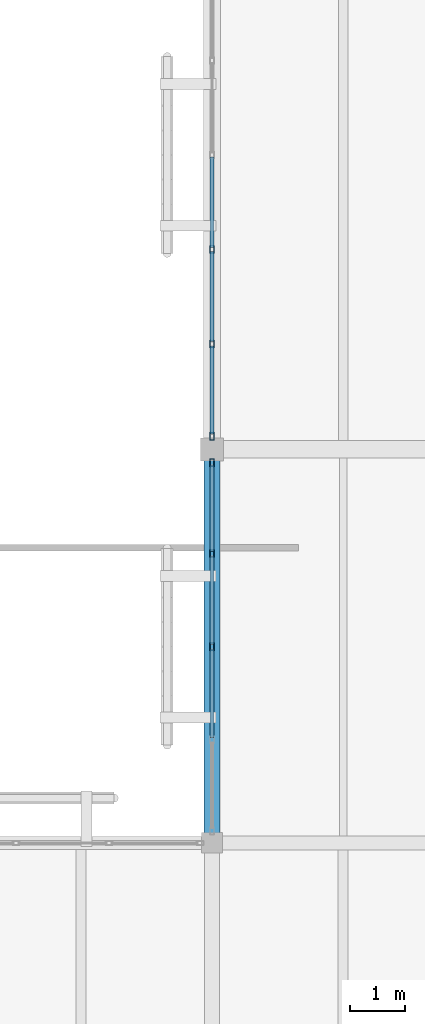
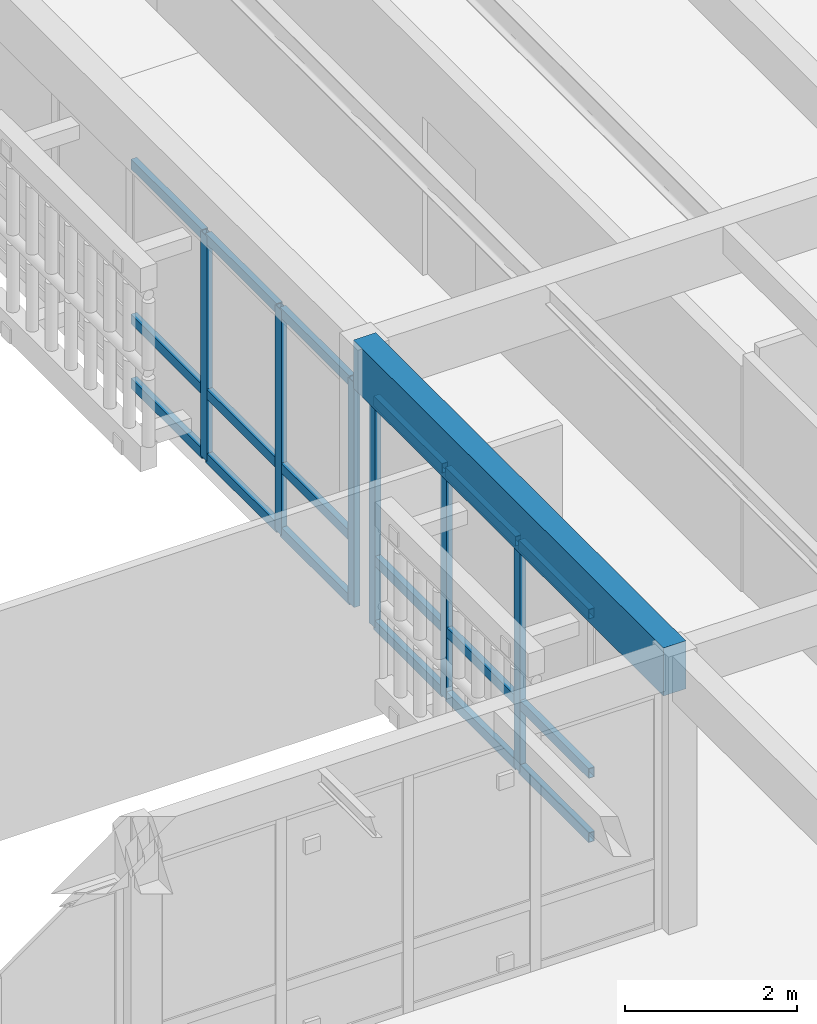
# One storey, part 20 of 61: 24 members, 1 beam, 2 elements without a shape of their own.
"""IFC4 building model written with IfcOpenShell, lengths in metres."""

from ifc_helpers import new_model, si_unit, direction, frame, origin, origin_2d, place, context, subcontext, project, spatial, rectangle, hollow_rectangle, extrude, material, layer, layer_set, material_profile, profile_set, type_object, element, aggregate, save


model = new_model("IFC4")

# Units and contexts
model_context = context("Model", 3, precision=1e-05, world=origin(), true_north=direction((0.0, 1.0)))
body_context = subcontext(model_context, "Body", "Model", "MODEL_VIEW")
ifc_project = project(units=[si_unit("LENGTHUNIT", "METRE"), si_unit("AREAUNIT", "SQUARE_METRE"), si_unit("VOLUMEUNIT", "CUBIC_METRE"), si_unit("PLANEANGLEUNIT", "RADIAN"), si_unit("MASSUNIT", "GRAM", prefix="KILO")], contexts=[model_context])

# Site, building, storey
site_placement = place(None, origin())
site = spatial("IfcSite", under=ifc_project, at=site_placement, CompositionType="ELEMENT")
building_placement = place(site_placement, origin())
building = spatial("IfcBuilding", under=site, at=building_placement, Name="Mazaris Harbour Polytechnic", CompositionType="ELEMENT")
storey_placement = place(building_placement, frame((0.0, 0.0, 18.0)))
storey = spatial("IfcBuildingStorey", under=building, at=storey_placement, Name="L04", CompositionType="ELEMENT", Elevation=18.0)

# Curtain wall, members
ifc_material_1 = material(Name="Anodised Bronze Aluminium and Low-E Glass", Category="aluminium")
ifc_layer = layer(ifc_material_1, 0.159912109375, Name="Anodised Bronze Aluminium and Low-E Glass")
ifc_layer_set = layer_set([ifc_layer], Name="Anodised Bronze Aluminium and Low-E Glass")
curtain_wall_type = type_object("IfcCurtainWallType", Name="Cloister Court Curtain Wall", PredefinedType="NOTDEFINED", material=ifc_layer_set)
curtain_wall_1_placement = place(storey_placement, origin())
curtain_wall_1 = element("IfcCurtainWall", 1, at=curtain_wall_1_placement, inside=storey, type_object=curtain_wall_type, Name="V4 L04 Curtain Wall 175", PredefinedType="NOTDEFINED")
ifc_material_2 = material(Name="Anodised Bronze Steel S355", Category="steel")
ifc_material_profile_1 = material_profile(ifc_material_2, hollow_rectangle(XDim=0.080078125, YDim=0.139892578125, WallThickness=0.00634765625, at=origin_2d()), Name="RHS 80x140x6.3")
ifc_profile_set_1 = profile_set([ifc_material_profile_1], Name="Anodised Bronze Steel S355")
member_type_1 = type_object("IfcMemberType", Name="Curtain Mullion RHS80x140", PredefinedType="MULLION", material=ifc_profile_set_1)
member_1_placement = place(storey_placement, frame((28.800048828125, 42.9580078125, 0.0), z_axis=(0.0, 0.0, 1.0), x_axis=(1.0, 0.0, 0.0)))
member_1 = element("IfcMember", 2, at=member_1_placement, type_object=member_type_1, Name="CW-02 mullion 1", PredefinedType="MULLION", context=body_context, shape_type="SweptSolid", body=[
    extrude(hollow_rectangle(XDim=0.080078125, YDim=0.139892578125, WallThickness=0.00634765625, at=origin_2d()), origin(), (0.0, 0.0, 1.0), 3.2451171875),
])
member_2_placement = place(storey_placement, frame((28.800048828125, 41.2939453125, 0.0), z_axis=(0.0, 0.0, 1.0), x_axis=(1.0, 0.0, 0.0)))
member_2 = element("IfcMember", 3, at=member_2_placement, type_object=member_type_1, Name="CW-02 mullion 2", PredefinedType="MULLION", context=body_context, shape_type="SweptSolid", body=[
    extrude(hollow_rectangle(XDim=0.080078125, YDim=0.139892578125, WallThickness=0.00634765625, at=origin_2d()), origin(), (0.0, 0.0, 1.0), 3.2451171875),
])
member_3_placement = place(storey_placement, frame((28.800048828125, 39.590087890625, 0.0), z_axis=(0.0, 0.0, 1.0), x_axis=(1.0, 0.0, 0.0)))
member_3 = element("IfcMember", 4, at=member_3_placement, type_object=member_type_1, Name="CW-02 mullion 3", PredefinedType="MULLION", context=body_context, shape_type="SweptSolid", body=[
    extrude(hollow_rectangle(XDim=0.080078125, YDim=0.139892578125, WallThickness=0.00634765625, at=origin_2d()), origin(), (0.0, 0.0, 1.0), 3.2451171875),
])

curtain_wall_2_placement = place(storey_placement, origin())
curtain_wall_2 = element("IfcCurtainWall", 5, at=curtain_wall_2_placement, inside=storey, type_object=curtain_wall_type, Name="V4 L04 Curtain Wall 176", PredefinedType="NOTDEFINED")
member_4_placement = place(storey_placement, frame((28.800048828125, 46.860595703125, 0.0), z_axis=(0.0, 0.0, 1.0), x_axis=(1.0, 0.0, 0.0)))
member_4 = element("IfcMember", 6, at=member_4_placement, type_object=member_type_1, Name="CW-02 mullion 5", PredefinedType="MULLION", context=body_context, shape_type="SweptSolid", body=[
    extrude(hollow_rectangle(XDim=0.080078125, YDim=0.139892578125, WallThickness=0.00634765625, at=origin_2d()), origin(), (0.0, 0.0, 1.0), 3.18505859375),
])
member_5_placement = place(storey_placement, frame((28.800048828125, 45.13134765625, 0.0), z_axis=(0.0, 0.0, 1.0), x_axis=(1.0, 0.0, 0.0)))
member_5 = element("IfcMember", 7, at=member_5_placement, type_object=member_type_1, Name="CW-02 mullion 6", PredefinedType="MULLION", context=body_context, shape_type="SweptSolid", body=[
    extrude(hollow_rectangle(XDim=0.080078125, YDim=0.139892578125, WallThickness=0.00634765625, at=origin_2d()), origin(), (0.0, 0.0, 1.0), 3.18505859375),
])
member_6_placement = place(storey_placement, frame((28.800048828125, 43.44189453125, 0.0), z_axis=(0.0, 0.0, 1.0), x_axis=(1.0, 0.0, 0.0)))
member_6 = element("IfcMember", 8, at=member_6_placement, type_object=member_type_1, Name="CW-02 mullion 7", PredefinedType="MULLION", context=body_context, shape_type="SweptSolid", body=[
    extrude(hollow_rectangle(XDim=0.080078125, YDim=0.139892578125, WallThickness=0.00634765625, at=origin_2d()), origin(), (0.0, 0.0, 1.0), 3.18505859375),
])

# Member
ifc_material_3 = material(Name="Anodised Bronze Steel S355", Category="steel")
ifc_material_profile_2 = material_profile(ifc_material_3, hollow_rectangle(XDim=0.080078125, YDim=0.139892578125, WallThickness=0.00634765625, at=origin_2d()), Name="RHS 80x140x6.3")
ifc_profile_set_2 = profile_set([ifc_material_profile_2], Name="Anodised Bronze Steel S355")
member_type_2 = type_object("IfcMemberType", Name="Curtain Transom RHS80x140", PredefinedType="USERDEFINED", material=ifc_profile_set_2)
member_7_placement = place(storey_placement, frame((28.800048828125, 42.91796875, 0.0400390625), z_axis=(0.0, -1.0, 0.0), x_axis=(1.0, 0.0, 0.0)))
member_7 = element("IfcMember", 9, at=member_7_placement, type_object=member_type_2, Name="CW-02 transom 1.1", ObjectType="TRANSOM", PredefinedType="USERDEFINED", context=body_context, shape_type="SweptSolid", body=[
    extrude(hollow_rectangle(XDim=0.080078125, YDim=0.139892578125, WallThickness=0.00634765625, at=origin_2d()), origin(), (0.0, 0.0, 1.0), 1.583984375),
])

member_8_placement = place(storey_placement, frame((28.800048828125, 42.91796875, 0.949951171875), z_axis=(0.0, -1.0, 0.0), x_axis=(1.0, 0.0, 0.0)))
member_8 = element("IfcMember", 10, at=member_8_placement, type_object=member_type_2, Name="CW-02 transom 1.2", ObjectType="TRANSOM", PredefinedType="USERDEFINED", context=body_context, shape_type="SweptSolid", body=[
    extrude(hollow_rectangle(XDim=0.080078125, YDim=0.139892578125, WallThickness=0.00634765625, at=origin_2d()), origin(), (0.0, 0.0, 1.0), 1.583984375),
])

member_9_placement = place(storey_placement, frame((28.800048828125, 42.91796875, 3.205078125), z_axis=(0.0, -1.0, 0.0), x_axis=(1.0, 0.0, 0.0)))
member_9 = element("IfcMember", 11, at=member_9_placement, type_object=member_type_2, Name="CW-02 transom 1.3", ObjectType="TRANSOM", PredefinedType="USERDEFINED", context=body_context, shape_type="SweptSolid", body=[
    extrude(hollow_rectangle(XDim=0.080078125, YDim=0.139892578125, WallThickness=0.00634765625, at=origin_2d()), origin(), (0.0, 0.0, 1.0), 1.583984375),
])

member_10_placement = place(storey_placement, frame((28.800048828125, 41.25390625, 0.0400390625), z_axis=(0.0, -1.0, 0.0), x_axis=(1.0, 0.0, 0.0)))
member_10 = element("IfcMember", 12, at=member_10_placement, type_object=member_type_2, Name="CW-02 transom 2.1", ObjectType="TRANSOM", PredefinedType="USERDEFINED", context=body_context, shape_type="SweptSolid", body=[
    extrude(hollow_rectangle(XDim=0.080078125, YDim=0.139892578125, WallThickness=0.00634765625, at=origin_2d()), origin(), (0.0, 0.0, 1.0), 1.6240234375),
])

member_11_placement = place(storey_placement, frame((28.800048828125, 41.25390625, 0.949951171875), z_axis=(0.0, -1.0, 0.0), x_axis=(1.0, 0.0, 0.0)))
member_11 = element("IfcMember", 13, at=member_11_placement, type_object=member_type_2, Name="CW-02 transom 2.2", ObjectType="TRANSOM", PredefinedType="USERDEFINED", context=body_context, shape_type="SweptSolid", body=[
    extrude(hollow_rectangle(XDim=0.080078125, YDim=0.139892578125, WallThickness=0.00634765625, at=origin_2d()), origin(), (0.0, 0.0, 1.0), 1.6240234375),
])

member_12_placement = place(storey_placement, frame((28.800048828125, 41.25390625, 3.205078125), z_axis=(0.0, -1.0, 0.0), x_axis=(1.0, 0.0, 0.0)))
member_12 = element("IfcMember", 14, at=member_12_placement, type_object=member_type_2, Name="CW-02 transom 2.3", ObjectType="TRANSOM", PredefinedType="USERDEFINED", context=body_context, shape_type="SweptSolid", body=[
    extrude(hollow_rectangle(XDim=0.080078125, YDim=0.139892578125, WallThickness=0.00634765625, at=origin_2d()), origin(), (0.0, 0.0, 1.0), 1.6240234375),
])

member_13_placement = place(storey_placement, frame((28.800048828125, 39.550048828125, 0.0400390625), z_axis=(0.0, -1.0, 0.0), x_axis=(1.0, 0.0, 0.0)))
member_13 = element("IfcMember", 15, at=member_13_placement, type_object=member_type_2, Name="CW-02 transom 3.1", ObjectType="TRANSOM", PredefinedType="USERDEFINED", context=body_context, shape_type="SweptSolid", body=[
    extrude(hollow_rectangle(XDim=0.080078125, YDim=0.139892578125, WallThickness=0.00634765625, at=origin_2d()), origin(), (0.0, 0.0, 1.0), 1.6240234375),
])

member_14_placement = place(storey_placement, frame((28.800048828125, 39.550048828125, 0.949951171875), z_axis=(0.0, -1.0, 0.0), x_axis=(1.0, 0.0, 0.0)))
member_14 = element("IfcMember", 16, at=member_14_placement, type_object=member_type_2, Name="CW-02 transom 3.2", ObjectType="TRANSOM", PredefinedType="USERDEFINED", context=body_context, shape_type="SweptSolid", body=[
    extrude(hollow_rectangle(XDim=0.080078125, YDim=0.139892578125, WallThickness=0.00634765625, at=origin_2d()), origin(), (0.0, 0.0, 1.0), 1.6240234375),
])

member_15_placement = place(storey_placement, frame((28.800048828125, 39.550048828125, 3.205078125), z_axis=(0.0, -1.0, 0.0), x_axis=(1.0, 0.0, 0.0)))
member_15 = element("IfcMember", 17, at=member_15_placement, type_object=member_type_2, Name="CW-02 transom 3.3", ObjectType="TRANSOM", PredefinedType="USERDEFINED", context=body_context, shape_type="SweptSolid", body=[
    extrude(hollow_rectangle(XDim=0.080078125, YDim=0.139892578125, WallThickness=0.00634765625, at=origin_2d()), origin(), (0.0, 0.0, 1.0), 1.6240234375),
])

aggregate(curtain_wall_1, [member_1, member_2, member_3, member_7, member_8, member_9, member_10, member_11, member_12, member_13, member_14, member_15])

member_16_placement = place(storey_placement, frame((28.800048828125, 48.550048828125, 0.0400390625), z_axis=(0.0, -1.0, 0.0), x_axis=(1.0, 0.0, 0.0)))
member_16 = element("IfcMember", 18, at=member_16_placement, type_object=member_type_2, Name="CW-02 transom 4.1", ObjectType="TRANSOM", PredefinedType="USERDEFINED", context=body_context, shape_type="SweptSolid", body=[
    extrude(hollow_rectangle(XDim=0.080078125, YDim=0.139892578125, WallThickness=0.00634765625, at=origin_2d()), origin(), (0.0, 0.0, 1.0), 1.6494140625),
])

member_17_placement = place(storey_placement, frame((28.800048828125, 48.550048828125, 0.949951171875), z_axis=(0.0, -1.0, 0.0), x_axis=(1.0, 0.0, 0.0)))
member_17 = element("IfcMember", 19, at=member_17_placement, type_object=member_type_2, Name="CW-02 transom 4.2", ObjectType="TRANSOM", PredefinedType="USERDEFINED", context=body_context, shape_type="SweptSolid", body=[
    extrude(hollow_rectangle(XDim=0.080078125, YDim=0.139892578125, WallThickness=0.00634765625, at=origin_2d()), origin(), (0.0, 0.0, 1.0), 1.6494140625),
])

member_18_placement = place(storey_placement, frame((28.800048828125, 48.550048828125, 3.14501953125), z_axis=(0.0, -1.0, 0.0), x_axis=(1.0, 0.0, 0.0)))
member_18 = element("IfcMember", 20, at=member_18_placement, type_object=member_type_2, Name="CW-02 transom 4.3", ObjectType="TRANSOM", PredefinedType="USERDEFINED", context=body_context, shape_type="SweptSolid", body=[
    extrude(hollow_rectangle(XDim=0.080078125, YDim=0.139892578125, WallThickness=0.00634765625, at=origin_2d()), origin(), (0.0, 0.0, 1.0), 1.6494140625),
])

member_19_placement = place(storey_placement, frame((28.800048828125, 46.820556640625, 0.0400390625), z_axis=(0.0, -1.0, 0.0), x_axis=(1.0, 0.0, 0.0)))
member_19 = element("IfcMember", 21, at=member_19_placement, type_object=member_type_2, Name="CW-02 transom 5.1", ObjectType="TRANSOM", PredefinedType="USERDEFINED", context=body_context, shape_type="SweptSolid", body=[
    extrude(hollow_rectangle(XDim=0.080078125, YDim=0.139892578125, WallThickness=0.00634765625, at=origin_2d()), origin(), (0.0, 0.0, 1.0), 1.649169921875),
])

member_20_placement = place(storey_placement, frame((28.800048828125, 46.820556640625, 0.949951171875), z_axis=(0.0, -1.0, 0.0), x_axis=(1.0, 0.0, 0.0)))
member_20 = element("IfcMember", 22, at=member_20_placement, type_object=member_type_2, Name="CW-02 transom 5.2", ObjectType="TRANSOM", PredefinedType="USERDEFINED", context=body_context, shape_type="SweptSolid", body=[
    extrude(hollow_rectangle(XDim=0.080078125, YDim=0.139892578125, WallThickness=0.00634765625, at=origin_2d()), origin(), (0.0, 0.0, 1.0), 1.649169921875),
])

member_21_placement = place(storey_placement, frame((28.800048828125, 46.820556640625, 3.14501953125), z_axis=(0.0, -1.0, 0.0), x_axis=(1.0, 0.0, 0.0)))
member_21 = element("IfcMember", 23, at=member_21_placement, type_object=member_type_2, Name="CW-02 transom 5.3", ObjectType="TRANSOM", PredefinedType="USERDEFINED", context=body_context, shape_type="SweptSolid", body=[
    extrude(hollow_rectangle(XDim=0.080078125, YDim=0.139892578125, WallThickness=0.00634765625, at=origin_2d()), origin(), (0.0, 0.0, 1.0), 1.649169921875),
])

member_22_placement = place(storey_placement, frame((28.800048828125, 45.09130859375, 0.0400390625), z_axis=(0.0, -1.0, 0.0), x_axis=(1.0, 0.0, 0.0)))
member_22 = element("IfcMember", 24, at=member_22_placement, type_object=member_type_2, Name="CW-02 transom 6.1", ObjectType="TRANSOM", PredefinedType="USERDEFINED", context=body_context, shape_type="SweptSolid", body=[
    extrude(hollow_rectangle(XDim=0.080078125, YDim=0.139892578125, WallThickness=0.00634765625, at=origin_2d()), origin(), (0.0, 0.0, 1.0), 1.609375),
])

member_23_placement = place(storey_placement, frame((28.800048828125, 45.09130859375, 0.949951171875), z_axis=(0.0, -1.0, 0.0), x_axis=(1.0, 0.0, 0.0)))
member_23 = element("IfcMember", 25, at=member_23_placement, type_object=member_type_2, Name="CW-02 transom 6.2", ObjectType="TRANSOM", PredefinedType="USERDEFINED", context=body_context, shape_type="SweptSolid", body=[
    extrude(hollow_rectangle(XDim=0.080078125, YDim=0.139892578125, WallThickness=0.00634765625, at=origin_2d()), origin(), (0.0, 0.0, 1.0), 1.609375),
])

member_24_placement = place(storey_placement, frame((28.800048828125, 45.09130859375, 3.14501953125), z_axis=(0.0, -1.0, 0.0), x_axis=(1.0, 0.0, 0.0)))
member_24 = element("IfcMember", 26, at=member_24_placement, type_object=member_type_2, Name="CW-02 transom 6.3", ObjectType="TRANSOM", PredefinedType="USERDEFINED", context=body_context, shape_type="SweptSolid", body=[
    extrude(hollow_rectangle(XDim=0.080078125, YDim=0.139892578125, WallThickness=0.00634765625, at=origin_2d()), origin(), (0.0, 0.0, 1.0), 1.609375),
])

aggregate(curtain_wall_2, [member_4, member_5, member_6, member_16, member_17, member_18, member_19, member_20, member_21, member_22, member_23, member_24])

# Beam
ifc_material_4 = material(Name="Glulam GL32h", Category="wood")
ifc_material_profile_3 = material_profile(ifc_material_4, rectangle(XDim=0.300048828125, YDim=0.679931640625, at=origin_2d()), Name="RECT300x680")
ifc_profile_set_3 = profile_set([ifc_material_profile_3], Name="Glulam GL32h")
beam_type = type_object("IfcBeamType", Name="Glulam Girder 300x680", PredefinedType="BEAM", material=ifc_profile_set_3)
beam_placement = place(storey_placement, frame((28.800048828125, 36.0, 3.594970703125), z_axis=(0.0, 1.0, 0.0), x_axis=(-1.0, 0.0, 0.0)))
element("IfcBeam", 27, at=beam_placement, inside=storey, type_object=beam_type, Name="V4 L04 Tie Girder 2423", PredefinedType="BEAM", context=body_context, shape_type="SweptSolid", body=[
    extrude(rectangle(XDim=0.300048828125, YDim=0.679931640625, at=origin_2d()), origin(), (0.0, 0.0, 1.0), 7.199951171875),
])

save(model, "model.ifc")
